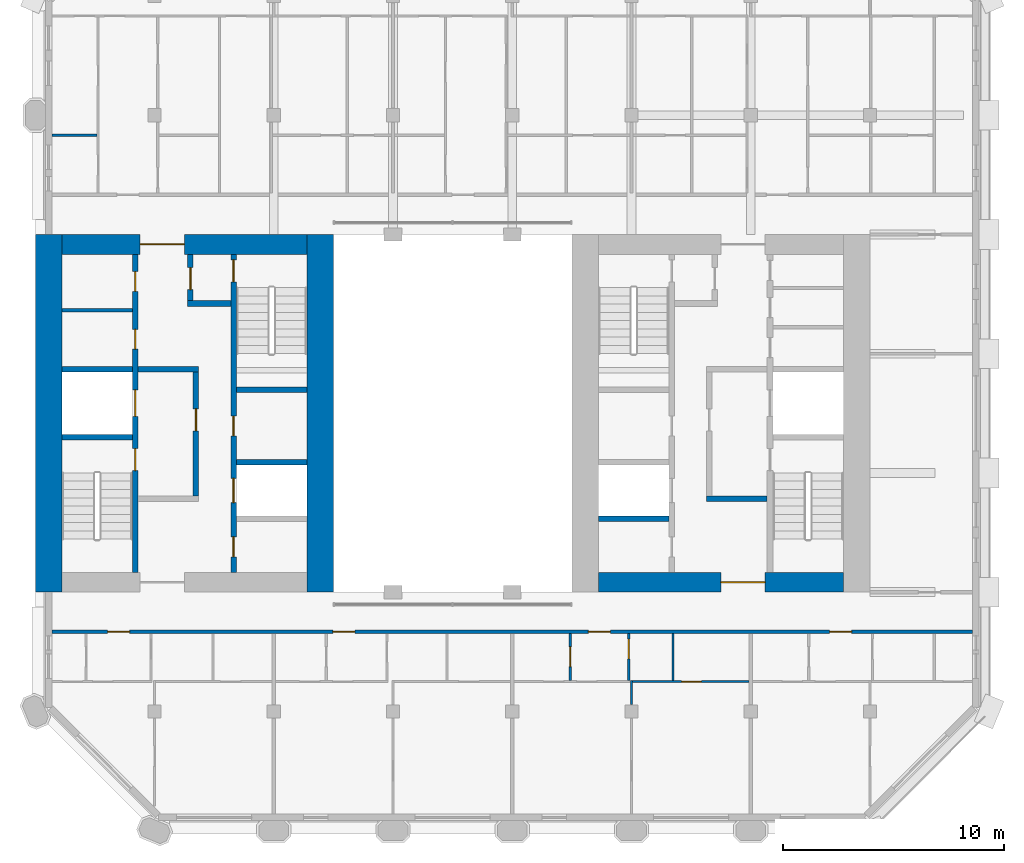
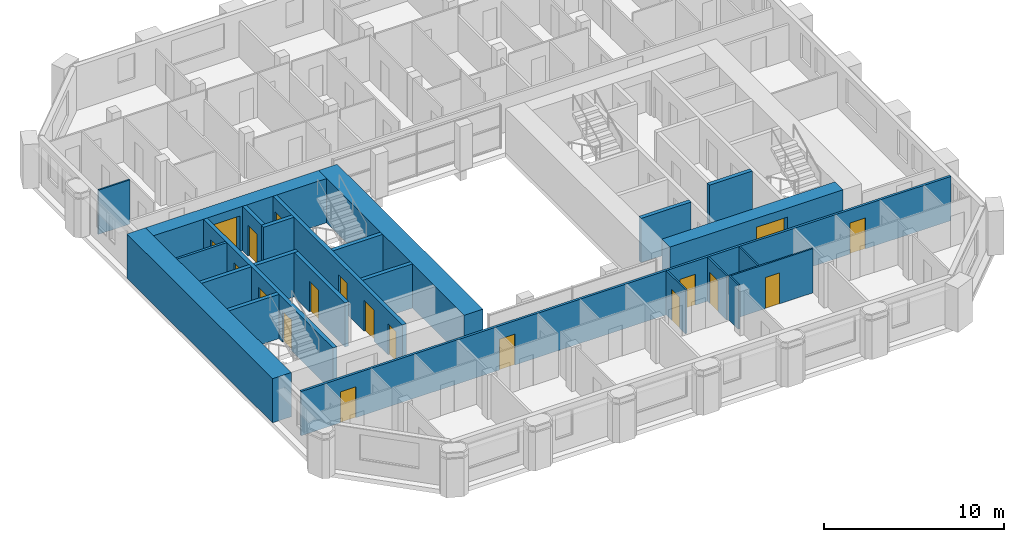
# One storey, part 5 of 13: 24 walls, 19 doors, 19 openings.
"""IFC4 building model written with IfcOpenShell, lengths in metres."""

from ifc_helpers import new_model, si_unit, direction, frame, frame_2d, origin, place, context, subcontext, project, spatial, rectangle, extrude, material, layer, layer_set, type_object, element, fill, save


model = new_model("IFC4")

# Units and contexts
model_context = context("Model", 3, precision=1e-05, world=origin(), true_north=direction((0.0, 1.0)))
body_context = subcontext(model_context, "Body", "Model", "MODEL_VIEW")
ifc_project = project(units=[si_unit("LENGTHUNIT", "METRE"), si_unit("AREAUNIT", "SQUARE_METRE"), si_unit("VOLUMEUNIT", "CUBIC_METRE"), si_unit("PLANEANGLEUNIT", "RADIAN"), si_unit("MASSUNIT", "GRAM", prefix="KILO")], contexts=[model_context])

# Site, building, storey
site_placement = place(None, origin())
site = spatial("IfcSite", under=ifc_project, at=site_placement, CompositionType="ELEMENT")
building_placement = place(site_placement, origin())
building = spatial("IfcBuilding", under=site, at=building_placement, Name="Tabaq Tower and Sports Hall", CompositionType="ELEMENT")
storey_placement = place(building_placement, frame((0.0, 0.0, 301.60009765625)))
storey = spatial("IfcBuildingStorey", under=building, at=storey_placement, Name="L75", CompositionType="ELEMENT", Elevation=301.60009765625)

# Walls
ifc_material_1 = material(Name="Blockwork", Category="masonry")
ifc_layer_1 = layer(ifc_material_1, 0.14990234375)
ifc_layer_set_1 = layer_set([ifc_layer_1], Name="Core room partition 150 Blockwork")
wall_type_1 = type_object("IfcWallType", Name="Core room partition 150 Blockwork", PredefinedType="PARTITIONING", material=ifc_layer_set_1)
wall_1_placement = place(storey_placement, frame((6.60009765625, 28.962890625, 0.0), z_axis=(0.0, 0.0, 1.0), x_axis=(1.0, 0.0, 0.0)))
element("IfcWall", 1, at=wall_1_placement, inside=storey, type_object=wall_type_1, Name="Core room partition W L75", PredefinedType="PARTITIONING", context=body_context, shape_type="SweptSolid", body=[
    extrude(rectangle(XDim=3.199951171875, YDim=0.14990234375, at=frame_2d((1.60009765625, 0.0))), origin(), (0.0, 0.0, 1.0), 3.0),
])
ifc_material_2 = material(Name="Concrete C40/50", Category="concrete")
ifc_layer_2 = layer(ifc_material_2, 1.199951171875)
ifc_layer_set_2 = layer_set([ifc_layer_2], Name="Core wall 1200 Concrete C40/50")
wall_type_2 = type_object("IfcWallType", Name="Core wall 1200 Concrete C40/50", PredefinedType="SOLIDWALL", material=ifc_layer_set_2)
for number, where, z_axis, x_axis, name in (
    (2, (6.0, 16.199951171875, 0.0), (0.0, 0.0, 1.0), (0.0, 1.0, 0.0), "Core wall W L75"),
    (3, (18.300048828125, 32.39990234375, 0.0), (0.0, 0.0, 1.0), (0.0, -1.0, 0.0), "Core wall W L75"),
):
    element("IfcWall", number, at=place(storey_placement, frame(where, z_axis=z_axis, x_axis=x_axis)), inside=storey, type_object=wall_type_2, Name=name, PredefinedType="SOLIDWALL", context=body_context, shape_type="SweptSolid", body=[
        extrude(rectangle(XDim=16.199951171875, YDim=1.199951171875, at=frame_2d((8.10009765625, 0.0))), origin(), (0.0, 0.0, 1.0), 3.0),
    ])

# Wall, opening, door
ifc_material_3 = material(Name="Concrete C40/50", Category="concrete")
ifc_layer_3 = layer(ifc_material_3, 0.89990234375)
ifc_layer_set_3 = layer_set([ifc_layer_3], Name="Core wall 900 Concrete C40/50")
wall_type_3 = type_object("IfcWallType", Name="Core wall 900 Concrete C40/50", PredefinedType="SOLIDWALL", material=ifc_layer_set_3)
wall_2_placement = place(storey_placement, frame((6.60009765625, 31.949951171875, 0.0), z_axis=(0.0, 0.0, 1.0), x_axis=(1.0, 0.0, 0.0)))
wall_2 = element("IfcWall", 4, at=wall_2_placement, inside=storey, type_object=wall_type_3, Name="Core wall W L75", PredefinedType="SOLIDWALL", context=body_context, shape_type="SweptSolid", body=[
    extrude(rectangle(XDim=11.099853515625, YDim=0.89990234375, at=frame_2d((5.5498046875, 0.0))), origin(), (0.0, 0.0, 1.0), 3.0),
])
opening_1_placement = place(wall_2_placement, frame((3.550048828125, 0.0, 0.0)))
opening_1 = element("IfcOpeningElement", 5, at=opening_1_placement, cuts=wall_2, Name="Opening PD-WL75-02", PredefinedType="OPENING", context=body_context, shape_type="SweptSolid", body=[
    extrude(rectangle(XDim=2.0, YDim=2.39990234375, at=frame_2d((1.0, 1.199951171875))), frame((0.0, 0.449951171875, 0.0), z_axis=(0.0, -1.0, 0.0), x_axis=(1.0, 0.0, 0.0)), (0.0, 0.0, 1.0), 0.89990234375),
])
ifc_material_4 = material(Name="Steel fire door", Category="steel")
door_type_1 = type_object("IfcDoorType", Name="Core entrance door 2000", OperationType="DOUBLE_DOOR_SINGLE_SWING", PredefinedType="DOOR", material=ifc_material_4)
door_1_placement = place(opening_1_placement, origin())
door_1 = element("IfcDoor", 6, at=door_1_placement, inside=storey, type_object=door_type_1, Name="Core entrance north W L75", OperationType="DOUBLE_DOOR_SINGLE_SWING", OverallHeight=2.39990234375, OverallWidth=2.0, PredefinedType="DOOR", context=body_context, shape_type="SweptSolid", body=[
    extrude(rectangle(XDim=2.0, YDim=2.39990234375, at=frame_2d((1.0, 1.199951171875))), frame((0.0, 0.02490234375, 0.0), z_axis=(0.0, -1.0, 0.0), x_axis=(1.0, 0.0, 0.0)), (0.0, 0.0, 1.0), 0.050048828125),
])
fill(opening_1, door_1)

wall_3_placement = place(storey_placement, frame((42.0, 16.64990234375, 0.0), z_axis=(0.0, 0.0, 1.0), x_axis=(-1.0, 0.0, 0.0)))
wall_3 = element("IfcWall", 7, at=wall_3_placement, inside=storey, type_object=wall_type_3, Name="Core wall E L75", PredefinedType="SOLIDWALL", context=body_context, shape_type="SweptSolid", body=[
    extrude(rectangle(XDim=11.10009765625, YDim=0.89990234375, at=frame_2d((5.550048828125, 0.0))), origin(), (0.0, 0.0, 1.0), 3.0),
])
opening_2_placement = place(wall_3_placement, frame((3.550048828125, 0.0, 0.0)))
opening_2 = element("IfcOpeningElement", 8, at=opening_2_placement, cuts=wall_3, Name="Opening PD-EL75-01", PredefinedType="OPENING", context=body_context, shape_type="SweptSolid", body=[
    extrude(rectangle(XDim=2.0, YDim=2.39990234375, at=frame_2d((1.0, 1.199951171875))), frame((0.0, 0.449951171875, 0.0), z_axis=(0.0, -1.0, 0.0), x_axis=(1.0, 0.0, 0.0)), (0.0, 0.0, 1.0), 0.89990234375),
])
door_2_placement = place(opening_2_placement, origin())
door_2 = element("IfcDoor", 9, at=door_2_placement, inside=storey, type_object=door_type_1, Name="Core entrance south E L75", OperationType="DOUBLE_DOOR_SINGLE_SWING", OverallHeight=2.39990234375, OverallWidth=2.0, PredefinedType="DOOR", context=body_context, shape_type="SweptSolid", body=[
    extrude(rectangle(XDim=2.0, YDim=2.39990234375, at=frame_2d((1.0, 1.199951171875))), frame((0.0, 0.02490234375, 0.0), z_axis=(0.0, -1.0, 0.0), x_axis=(1.0, 0.0, 0.0)), (0.0, 0.0, 1.0), 0.050048828125),
])
fill(opening_2, door_2)

# Walls
ifc_material_5 = material(Name="Gypsum board on steel studs", Category="steel")
ifc_layer_4 = layer(ifc_material_5, 0.10009765625)
ifc_layer_set_4 = layer_set([ifc_layer_4], Name="Partition 100 Gypsum board")
wall_type_4 = type_object("IfcWallType", Name="Partition 100 Gypsum board", PredefinedType="PARTITIONING", material=ifc_layer_set_4)
wall_4_placement = place(storey_placement, frame((6.15087890625, 36.89990234375, 0.0), z_axis=(0.0, 0.0, 1.0), x_axis=(1.0, 0.0, 0.0)))
element("IfcWall", 10, at=wall_4_placement, inside=storey, type_object=wall_type_4, Name="Partition wall L75", PredefinedType="PARTITIONING", context=body_context, shape_type="SweptSolid", body=[
    extrude(rectangle(XDim=2.0390625, YDim=0.10009765625, at=frame_2d((1.01953125, 0.0))), origin(), (0.0, 0.0, 1.0), 3.0),
])
wall_5_placement = place(storey_placement, frame((32.39990234375, 11.1201171875, 0.0), z_axis=(0.0, 0.0, 1.0), x_axis=(0.0, 1.0, 0.0)))
element("IfcWall", 11, at=wall_5_placement, inside=storey, type_object=wall_type_4, Name="Partition wall L75", PredefinedType="PARTITIONING", context=body_context, shape_type="SweptSolid", body=[
    extrude(rectangle(XDim=1.079833984375, YDim=0.10009765625, at=frame_2d((0.5400390625, 0.0))), origin(), (0.0, 0.0, 1.0), 3.0),
])

# Wall, opening, door
wall_6_placement = place(storey_placement, frame((37.72509765625, 12.14990234375, 0.0), z_axis=(0.0, 0.0, 1.0), x_axis=(-1.0, 0.0, 0.0)))
wall_6 = element("IfcWall", 12, at=wall_6_placement, inside=storey, type_object=wall_type_4, Name="Partition wall L75", PredefinedType="PARTITIONING", context=body_context, shape_type="SweptSolid", body=[
    extrude(rectangle(XDim=5.275146484375, YDim=0.10009765625, at=frame_2d((2.6376953125, 0.0))), origin(), (0.0, 0.0, 1.0), 3.0),
])
opening_3_placement = place(wall_6_placement, frame((2.155029296875, 0.0, 0.0)))
opening_3 = element("IfcOpeningElement", 13, at=opening_3_placement, cuts=wall_6, Name="Opening L75-023", PredefinedType="OPENING", context=body_context, shape_type="SweptSolid", body=[
    extrude(rectangle(XDim=0.89990234375, YDim=2.10009765625, at=frame_2d((0.449951171875, 1.050048828125))), frame((0.0, 0.050048828125, 0.0), z_axis=(0.0, -1.0, 0.0), x_axis=(1.0, 0.0, 0.0)), (0.0, 0.0, 1.0), 0.10009765625),
])
ifc_material_6 = material(Name="Timber leaf in steel frame", Category="steel")
door_type_2 = type_object("IfcDoorType", Name="Internal door 900 right hand", OperationType="SINGLE_SWING_RIGHT", PredefinedType="DOOR", material=ifc_material_6)
door_3_placement = place(opening_3_placement, origin())
door_3 = element("IfcDoor", 14, at=door_3_placement, inside=storey, type_object=door_type_2, Name="Internal door L75-023", OperationType="SINGLE_SWING_RIGHT", OverallHeight=2.10009765625, OverallWidth=0.89990234375, PredefinedType="DOOR", context=body_context, shape_type="SweptSolid", body=[
    extrude(rectangle(XDim=0.89990234375, YDim=2.10009765625, at=frame_2d((0.449951171875, 1.050048828125))), frame((0.0, 0.02490234375, 0.0), z_axis=(0.0, -1.0, 0.0), x_axis=(1.0, 0.0, 0.0)), (0.0, 0.0, 1.0), 0.050048828125),
])
fill(opening_3, door_3)

wall_7_placement = place(storey_placement, frame((29.625, 12.199951171875, 0.0), z_axis=(0.0, 0.0, 1.0), x_axis=(0.0, 1.0, 0.0)))
wall_7 = element("IfcWall", 15, at=wall_7_placement, inside=storey, type_object=wall_type_4, Name="Partition wall L75", PredefinedType="PARTITIONING", context=body_context, shape_type="SweptSolid", body=[
    extrude(rectangle(XDim=2.125, YDim=0.10009765625, at=frame_2d((1.0625, 0.0))), origin(), (0.0, 0.0, 1.0), 3.0),
])
opening_4_placement = place(wall_7_placement, frame((0.625, 0.0, 0.0)))
opening_4 = element("IfcOpeningElement", 16, at=opening_4_placement, cuts=wall_7, Name="Opening L75-047", PredefinedType="OPENING", context=body_context, shape_type="SweptSolid", body=[
    extrude(rectangle(XDim=0.89990234375, YDim=2.10009765625, at=frame_2d((0.449951171875, 1.050048828125))), frame((0.0, 0.050048828125, 0.0), z_axis=(0.0, -1.0, 0.0), x_axis=(1.0, 0.0, 0.0)), (0.0, 0.0, 1.0), 0.10009765625),
])
door_4_placement = place(opening_4_placement, origin())
door_4 = element("IfcDoor", 17, at=door_4_placement, inside=storey, type_object=door_type_2, Name="Internal door L75-047", OperationType="SINGLE_SWING_RIGHT", OverallHeight=2.10009765625, OverallWidth=0.89990234375, PredefinedType="DOOR", context=body_context, shape_type="SweptSolid", body=[
    extrude(rectangle(XDim=0.89990234375, YDim=2.10009765625, at=frame_2d((0.449951171875, 1.050048828125))), frame((0.0, 0.02490234375, 0.0), z_axis=(0.0, -1.0, 0.0), x_axis=(1.0, 0.0, 0.0)), (0.0, 0.0, 1.0), 0.050048828125),
])
fill(opening_4, door_4)

wall_8_placement = place(storey_placement, frame((32.27490234375, 12.199951171875, 0.0), z_axis=(0.0, 0.0, 1.0), x_axis=(0.0, 1.0, 0.0)))
wall_8 = element("IfcWall", 18, at=wall_8_placement, inside=storey, type_object=wall_type_4, Name="Partition wall L75", PredefinedType="PARTITIONING", context=body_context, shape_type="SweptSolid", body=[
    extrude(rectangle(XDim=2.125, YDim=0.10009765625, at=frame_2d((1.0625, 0.0))), origin(), (0.0, 0.0, 1.0), 3.0),
])
opening_5_placement = place(wall_8_placement, frame((0.97509765625, 0.0, 0.0)))
opening_5 = element("IfcOpeningElement", 19, at=opening_5_placement, cuts=wall_8, Name="Opening L75-024", PredefinedType="OPENING", context=body_context, shape_type="SweptSolid", body=[
    extrude(rectangle(XDim=0.89990234375, YDim=2.10009765625, at=frame_2d((0.449951171875, 1.050048828125))), frame((0.0, 0.050048828125, 0.0), z_axis=(0.0, -1.0, 0.0), x_axis=(1.0, 0.0, 0.0)), (0.0, 0.0, 1.0), 0.10009765625),
])
door_5_placement = place(opening_5_placement, origin())
door_5 = element("IfcDoor", 20, at=door_5_placement, inside=storey, type_object=door_type_2, Name="Internal door L75-024", OperationType="SINGLE_SWING_RIGHT", OverallHeight=2.10009765625, OverallWidth=0.89990234375, PredefinedType="DOOR", context=body_context, shape_type="SweptSolid", body=[
    extrude(rectangle(XDim=0.89990234375, YDim=2.10009765625, at=frame_2d((0.449951171875, 1.050048828125))), frame((0.0, 0.02490234375, 0.0), z_axis=(0.0, -1.0, 0.0), x_axis=(1.0, 0.0, 0.0)), (0.0, 0.0, 1.0), 0.050048828125),
])
fill(opening_5, door_5)

# Wall
wall_9_placement = place(storey_placement, frame((34.285888671875, 12.199951171875, 0.0), z_axis=(0.0, 0.0, 1.0), x_axis=(0.0, 1.0, 0.0)))
element("IfcWall", 21, at=wall_9_placement, inside=storey, type_object=wall_type_4, Name="Partition wall L75", PredefinedType="PARTITIONING", context=body_context, shape_type="SweptSolid", body=[
    extrude(rectangle(XDim=2.125, YDim=0.10009765625, at=frame_2d((1.0625, 0.0))), origin(), (0.0, 0.0, 1.0), 3.0),
])

# Wall, openings, doors
ifc_material_7 = material(Name="Blockwork", Category="masonry")
ifc_layer_5 = layer(ifc_material_7, 0.14990234375)
ifc_layer_set_5 = layer_set([ifc_layer_5], Name="Separating wall 150 Blockwork")
wall_type_5 = type_object("IfcWallType", Name="Separating wall 150 Blockwork", PredefinedType="PARTITIONING", material=ifc_layer_set_5)
wall_10_placement = place(storey_placement, frame((47.84912109375, 14.39990234375, 0.0), z_axis=(0.0, 0.0, 1.0), x_axis=(-1.0, 0.0, 0.0)))
wall_10 = element("IfcWall", 22, at=wall_10_placement, inside=storey, type_object=wall_type_5, Name="Separating wall L75", PredefinedType="PARTITIONING", context=body_context, shape_type="SweptSolid", body=[
    extrude(rectangle(XDim=41.6982421875, YDim=0.14990234375, at=frame_2d((20.84912109375, 0.0))), origin(), (0.0, 0.0, 1.0), 3.0),
])
opening_6_placement = place(wall_10_placement, frame((38.178955078125, 0.0, 0.0)))
opening_6 = element("IfcOpeningElement", 23, at=opening_6_placement, cuts=wall_10, Name="Opening L75-060", PredefinedType="OPENING", context=body_context, shape_type="SweptSolid", body=[
    extrude(rectangle(XDim=1.0, YDim=2.10009765625, at=frame_2d((0.5, 1.050048828125))), frame((0.0, 0.074951171875, 0.0), z_axis=(0.0, -1.0, 0.0), x_axis=(1.0, 0.0, 0.0)), (0.0, 0.0, 1.0), 0.14990234375),
])
opening_7_placement = place(wall_10_placement, frame((27.97705078125, 0.0, 0.0)))
opening_7 = element("IfcOpeningElement", 24, at=opening_7_placement, cuts=wall_10, Name="Opening L75-061", PredefinedType="OPENING", context=body_context, shape_type="SweptSolid", body=[
    extrude(rectangle(XDim=1.0, YDim=2.10009765625, at=frame_2d((0.5, 1.050048828125))), frame((0.0, 0.074951171875, 0.0), z_axis=(0.0, -1.0, 0.0), x_axis=(1.0, 0.0, 0.0)), (0.0, 0.0, 1.0), 0.14990234375),
])
opening_8_placement = place(wall_10_placement, frame((16.39892578125, 0.0, 0.0)))
opening_8 = element("IfcOpeningElement", 25, at=opening_8_placement, cuts=wall_10, Name="Opening L75-062", PredefinedType="OPENING", context=body_context, shape_type="SweptSolid", body=[
    extrude(rectangle(XDim=1.0, YDim=2.10009765625, at=frame_2d((0.5, 1.050048828125))), frame((0.0, 0.074951171875, 0.0), z_axis=(0.0, -1.0, 0.0), x_axis=(1.0, 0.0, 0.0)), (0.0, 0.0, 1.0), 0.14990234375),
])
opening_9_placement = place(wall_10_placement, frame((5.47607421875, 0.0, 0.0)))
opening_9 = element("IfcOpeningElement", 26, at=opening_9_placement, cuts=wall_10, Name="Opening L75-063", PredefinedType="OPENING", context=body_context, shape_type="SweptSolid", body=[
    extrude(rectangle(XDim=1.0, YDim=2.10009765625, at=frame_2d((0.5, 1.050048828125))), frame((0.0, 0.074951171875, 0.0), z_axis=(0.0, -1.0, 0.0), x_axis=(1.0, 0.0, 0.0)), (0.0, 0.0, 1.0), 0.14990234375),
])
ifc_material_8 = material(Name="Steel fire door", Category="steel")
door_type_3 = type_object("IfcDoorType", Name="Entrance door 1000 left hand", OperationType="SINGLE_SWING_LEFT", PredefinedType="DOOR", material=ifc_material_8)
door_6_placement = place(opening_8_placement, origin())
door_6 = element("IfcDoor", 27, at=door_6_placement, inside=storey, type_object=door_type_3, Name="Entrance door L75-062", OperationType="SINGLE_SWING_LEFT", OverallHeight=2.10009765625, OverallWidth=1.0, PredefinedType="DOOR", context=body_context, shape_type="SweptSolid", body=[
    extrude(rectangle(XDim=1.0, YDim=2.10009765625, at=frame_2d((0.5, 1.050048828125))), frame((0.0, 0.02490234375, 0.0), z_axis=(0.0, -1.0, 0.0), x_axis=(1.0, 0.0, 0.0)), (0.0, 0.0, 1.0), 0.050048828125),
])
fill(opening_8, door_6)
door_7_placement = place(opening_9_placement, origin())
door_7 = element("IfcDoor", 28, at=door_7_placement, inside=storey, type_object=door_type_3, Name="Entrance door L75-063", OperationType="SINGLE_SWING_LEFT", OverallHeight=2.10009765625, OverallWidth=1.0, PredefinedType="DOOR", context=body_context, shape_type="SweptSolid", body=[
    extrude(rectangle(XDim=1.0, YDim=2.10009765625, at=frame_2d((0.5, 1.050048828125))), frame((0.0, 0.02490234375, 0.0), z_axis=(0.0, -1.0, 0.0), x_axis=(1.0, 0.0, 0.0)), (0.0, 0.0, 1.0), 0.050048828125),
])
fill(opening_9, door_7)
ifc_material_9 = material(Name="Steel fire door", Category="steel")
door_type_4 = type_object("IfcDoorType", Name="Entrance door 1000 right hand", OperationType="SINGLE_SWING_RIGHT", PredefinedType="DOOR", material=ifc_material_9)
door_8_placement = place(opening_6_placement, origin())
door_8 = element("IfcDoor", 29, at=door_8_placement, inside=storey, type_object=door_type_4, Name="Entrance door L75-060", OperationType="SINGLE_SWING_RIGHT", OverallHeight=2.10009765625, OverallWidth=1.0, PredefinedType="DOOR", context=body_context, shape_type="SweptSolid", body=[
    extrude(rectangle(XDim=1.0, YDim=2.10009765625, at=frame_2d((0.5, 1.050048828125))), frame((0.0, 0.02490234375, 0.0), z_axis=(0.0, -1.0, 0.0), x_axis=(1.0, 0.0, 0.0)), (0.0, 0.0, 1.0), 0.050048828125),
])
fill(opening_6, door_8)
door_9_placement = place(opening_7_placement, origin())
door_9 = element("IfcDoor", 30, at=door_9_placement, inside=storey, type_object=door_type_4, Name="Entrance door L75-061", OperationType="SINGLE_SWING_RIGHT", OverallHeight=2.10009765625, OverallWidth=1.0, PredefinedType="DOOR", context=body_context, shape_type="SweptSolid", body=[
    extrude(rectangle(XDim=1.0, YDim=2.10009765625, at=frame_2d((0.5, 1.050048828125))), frame((0.0, 0.02490234375, 0.0), z_axis=(0.0, -1.0, 0.0), x_axis=(1.0, 0.0, 0.0)), (0.0, 0.0, 1.0), 0.050048828125),
])
fill(opening_7, door_9)

ifc_material_10 = material(Name="Concrete C40/50", Category="concrete")
ifc_layer_6 = layer(ifc_material_10, 0.25)
ifc_layer_set_6 = layer_set([ifc_layer_6], Name="Shaft and stair wall 250 Concrete C40/50")
wall_type_6 = type_object("IfcWallType", Name="Shaft and stair wall 250 Concrete C40/50", PredefinedType="SOLIDWALL", material=ifc_layer_set_6)
wall_11_placement = place(storey_placement, frame((9.925048828125, 17.10009765625, 0.0), z_axis=(0.0, 0.0, 1.0), x_axis=(0.0, 1.0, 0.0)))
wall_11 = element("IfcWall", 31, at=wall_11_placement, inside=storey, type_object=wall_type_6, Name="Shaft wall W L75", PredefinedType="SOLIDWALL", context=body_context, shape_type="SweptSolid", body=[
    extrude(rectangle(XDim=14.39990234375, YDim=0.25, at=frame_2d((7.199951171875, 0.0))), origin(), (0.0, 0.0, 1.0), 3.0),
])
opening_10_placement = place(wall_11_placement, frame((4.60009765625, 0.0, 0.0)))
opening_10 = element("IfcOpeningElement", 32, at=opening_10_placement, cuts=wall_11, Name="Opening SD-WL75-03", PredefinedType="OPENING", context=body_context, shape_type="SweptSolid", body=[
    extrude(rectangle(XDim=1.0, YDim=2.10009765625, at=frame_2d((0.5, 1.050048828125))), frame((0.0, 0.125, 0.0), z_axis=(0.0, -1.0, 0.0), x_axis=(1.0, 0.0, 0.0)), (0.0, 0.0, 1.0), 0.25),
])
opening_11_placement = place(wall_11_placement, frame((7.0625, 0.0, 0.0)))
opening_11 = element("IfcOpeningElement", 33, at=opening_11_placement, cuts=wall_11, Name="Opening LD-FF1-L75", PredefinedType="OPENING", context=body_context, shape_type="SweptSolid", body=[
    extrude(rectangle(XDim=1.199951171875, YDim=2.10009765625, at=frame_2d((0.60009765625, 1.050048828125))), frame((0.0, 0.125, 0.0), z_axis=(0.0, -1.0, 0.0), x_axis=(1.0, 0.0, 0.0)), (0.0, 0.0, 1.0), 0.25),
])
opening_12_placement = place(wall_11_placement, frame((10.1064453125, 0.0, 0.0)))
opening_12 = element("IfcOpeningElement", 34, at=opening_12_placement, cuts=wall_11, Name="Opening RD-WL75-09", PredefinedType="OPENING", context=body_context, shape_type="SweptSolid", body=[
    extrude(rectangle(XDim=0.89990234375, YDim=2.10009765625, at=frame_2d((0.449951171875, 1.050048828125))), frame((0.0, 0.125, 0.0), z_axis=(0.0, -1.0, 0.0), x_axis=(1.0, 0.0, 0.0)), (0.0, 0.0, 1.0), 0.25),
])
opening_13_placement = place(wall_11_placement, frame((12.718994140625, 0.0, 0.0)))
opening_13 = element("IfcOpeningElement", 35, at=opening_13_placement, cuts=wall_11, Name="Opening RD-WL75-10", PredefinedType="OPENING", context=body_context, shape_type="SweptSolid", body=[
    extrude(rectangle(XDim=0.89990234375, YDim=2.10009765625, at=frame_2d((0.449951171875, 1.050048828125))), frame((0.0, 0.125, 0.0), z_axis=(0.0, -1.0, 0.0), x_axis=(1.0, 0.0, 0.0)), (0.0, 0.0, 1.0), 0.25),
])
ifc_material_11 = material(Name="Steel fire door", Category="steel")
door_type_5 = type_object("IfcDoorType", Name="Core room door 900", OperationType="SINGLE_SWING_LEFT", PredefinedType="DOOR", material=ifc_material_11)
door_10_placement = place(opening_12_placement, origin())
door_10 = element("IfcDoor", 36, at=door_10_placement, inside=storey, type_object=door_type_5, Name="Door Housekeeping Store W L75", OperationType="SINGLE_SWING_LEFT", OverallHeight=2.10009765625, OverallWidth=0.89990234375, PredefinedType="DOOR", context=body_context, shape_type="SweptSolid", body=[
    extrude(rectangle(XDim=0.89990234375, YDim=2.10009765625, at=frame_2d((0.449951171875, 1.050048828125))), frame((0.0, 0.02490234375, 0.0), z_axis=(0.0, -1.0, 0.0), x_axis=(1.0, 0.0, 0.0)), (0.0, 0.0, 1.0), 0.050048828125),
])
fill(opening_12, door_10)
door_11_placement = place(opening_13_placement, origin())
door_11 = element("IfcDoor", 37, at=door_11_placement, inside=storey, type_object=door_type_5, Name="Door Riser Room W L75", OperationType="SINGLE_SWING_LEFT", OverallHeight=2.10009765625, OverallWidth=0.89990234375, PredefinedType="DOOR", context=body_context, shape_type="SweptSolid", body=[
    extrude(rectangle(XDim=0.89990234375, YDim=2.10009765625, at=frame_2d((0.449951171875, 1.050048828125))), frame((0.0, 0.02490234375, 0.0), z_axis=(0.0, -1.0, 0.0), x_axis=(1.0, 0.0, 0.0)), (0.0, 0.0, 1.0), 0.050048828125),
])
fill(opening_13, door_11)
ifc_material_12 = material(Name="Stainless steel", Category="steel")
door_type_6 = type_object("IfcDoorType", Name="Lift landing door 1200", OperationType="DOUBLE_DOOR_SLIDING", PredefinedType="DOOR", material=ifc_material_12)
door_12_placement = place(opening_11_placement, origin())
door_12 = element("IfcDoor", 38, at=door_12_placement, inside=storey, type_object=door_type_6, Name="Lift landing door FF1 W L75", OperationType="DOUBLE_DOOR_SLIDING", OverallHeight=2.10009765625, OverallWidth=1.199951171875, PredefinedType="DOOR", context=body_context, shape_type="SweptSolid", body=[
    extrude(rectangle(XDim=1.199951171875, YDim=2.10009765625, at=frame_2d((0.60009765625, 1.050048828125))), frame((0.0, 0.02490234375, 0.0), z_axis=(0.0, -1.0, 0.0), x_axis=(1.0, 0.0, 0.0)), (0.0, 0.0, 1.0), 0.050048828125),
])
fill(opening_11, door_12)
ifc_material_13 = material(Name="Steel fire door", Category="steel")
door_type_7 = type_object("IfcDoorType", Name="Stair door 1000", OperationType="SINGLE_SWING_LEFT", PredefinedType="DOOR", material=ifc_material_13)
door_13_placement = place(opening_10_placement, origin())
door_13 = element("IfcDoor", 39, at=door_13_placement, inside=storey, type_object=door_type_7, Name="Stair door ST1 W L75", OperationType="SINGLE_SWING_LEFT", OverallHeight=2.10009765625, OverallWidth=1.0, PredefinedType="DOOR", context=body_context, shape_type="SweptSolid", body=[
    extrude(rectangle(XDim=1.0, YDim=2.10009765625, at=frame_2d((0.5, 1.050048828125))), frame((0.0, 0.02490234375, 0.0), z_axis=(0.0, -1.0, 0.0), x_axis=(1.0, 0.0, 0.0)), (0.0, 0.0, 1.0), 0.050048828125),
])
fill(opening_10, door_13)

wall_12_placement = place(storey_placement, frame((14.375, 17.10009765625, 0.0), z_axis=(0.0, 0.0, 1.0), x_axis=(0.0, 1.0, 0.0)))
wall_12 = element("IfcWall", 40, at=wall_12_placement, inside=storey, type_object=wall_type_6, Name="Shaft wall W L75", PredefinedType="SOLIDWALL", context=body_context, shape_type="SweptSolid", body=[
    extrude(rectangle(XDim=14.39990234375, YDim=0.25, at=frame_2d((7.199951171875, 0.0))), origin(), (0.0, 0.0, 1.0), 3.0),
])
opening_14_placement = place(wall_12_placement, frame((13.14990234375, 0.0, 0.0)))
opening_14 = element("IfcOpeningElement", 41, at=opening_14_placement, cuts=wall_12, Name="Opening SD-WL75-05", PredefinedType="OPENING", context=body_context, shape_type="SweptSolid", body=[
    extrude(rectangle(XDim=1.0, YDim=2.10009765625, at=frame_2d((0.5, 1.050048828125))), frame((0.0, 0.125, 0.0), z_axis=(0.0, -1.0, 0.0), x_axis=(1.0, 0.0, 0.0)), (0.0, 0.0, 1.0), 0.25),
])
opening_15_placement = place(wall_12_placement, frame((3.14990234375, 0.0, 0.0)))
opening_15 = element("IfcOpeningElement", 42, at=opening_15_placement, cuts=wall_12, Name="Opening LD-HR1-L75", PredefinedType="OPENING", context=body_context, shape_type="SweptSolid", body=[
    extrude(rectangle(XDim=1.10009765625, YDim=2.10009765625, at=frame_2d((0.550048828125, 1.050048828125))), frame((0.0, 0.125, 0.0), z_axis=(0.0, -1.0, 0.0), x_axis=(1.0, 0.0, 0.0)), (0.0, 0.0, 1.0), 0.25),
])
opening_16_placement = place(wall_12_placement, frame((0.699951171875, 0.0, 0.0)))
opening_16 = element("IfcOpeningElement", 43, at=opening_16_placement, cuts=wall_12, Name="Opening RD-WL75-11", PredefinedType="OPENING", context=body_context, shape_type="SweptSolid", body=[
    extrude(rectangle(XDim=0.89990234375, YDim=2.10009765625, at=frame_2d((0.449951171875, 1.050048828125))), frame((0.0, 0.125, 0.0), z_axis=(0.0, -1.0, 0.0), x_axis=(1.0, 0.0, 0.0)), (0.0, 0.0, 1.0), 0.25),
])
opening_17_placement = place(wall_12_placement, frame((6.175048828125, 0.0, 0.0)))
opening_17 = element("IfcOpeningElement", 44, at=opening_17_placement, cuts=wall_12, Name="Opening RD-WL75-12", PredefinedType="OPENING", context=body_context, shape_type="SweptSolid", body=[
    extrude(rectangle(XDim=0.89990234375, YDim=2.10009765625, at=frame_2d((0.449951171875, 1.050048828125))), frame((0.0, 0.125, 0.0), z_axis=(0.0, -1.0, 0.0), x_axis=(1.0, 0.0, 0.0)), (0.0, 0.0, 1.0), 0.25),
])
door_14_placement = place(opening_16_placement, origin())
door_14 = element("IfcDoor", 45, at=door_14_placement, inside=storey, type_object=door_type_5, Name="Door Electrical Riser Room W L75", OperationType="SINGLE_SWING_LEFT", OverallHeight=2.10009765625, OverallWidth=0.89990234375, PredefinedType="DOOR", context=body_context, shape_type="SweptSolid", body=[
    extrude(rectangle(XDim=0.89990234375, YDim=2.10009765625, at=frame_2d((0.449951171875, 1.050048828125))), frame((0.0, 0.02490234375, 0.0), z_axis=(0.0, -1.0, 0.0), x_axis=(1.0, 0.0, 0.0)), (0.0, 0.0, 1.0), 0.050048828125),
])
fill(opening_16, door_14)
door_15_placement = place(opening_17_placement, origin())
door_15 = element("IfcDoor", 46, at=door_15_placement, inside=storey, type_object=door_type_5, Name="Door Riser Room W L75", OperationType="SINGLE_SWING_LEFT", OverallHeight=2.10009765625, OverallWidth=0.89990234375, PredefinedType="DOOR", context=body_context, shape_type="SweptSolid", body=[
    extrude(rectangle(XDim=0.89990234375, YDim=2.10009765625, at=frame_2d((0.449951171875, 1.050048828125))), frame((0.0, 0.02490234375, 0.0), z_axis=(0.0, -1.0, 0.0), x_axis=(1.0, 0.0, 0.0)), (0.0, 0.0, 1.0), 0.050048828125),
])
fill(opening_17, door_15)
ifc_material_14 = material(Name="Stainless steel", Category="steel")
door_type_8 = type_object("IfcDoorType", Name="Lift landing door 1100", OperationType="DOUBLE_DOOR_SLIDING", PredefinedType="DOOR", material=ifc_material_14)
door_16_placement = place(opening_15_placement, origin())
door_16 = element("IfcDoor", 47, at=door_16_placement, inside=storey, type_object=door_type_8, Name="Lift landing door HR1 W L75", OperationType="DOUBLE_DOOR_SLIDING", OverallHeight=2.10009765625, OverallWidth=1.10009765625, PredefinedType="DOOR", context=body_context, shape_type="SweptSolid", body=[
    extrude(rectangle(XDim=1.10009765625, YDim=2.10009765625, at=frame_2d((0.550048828125, 1.050048828125))), frame((0.0, 0.02490234375, 0.0), z_axis=(0.0, -1.0, 0.0), x_axis=(1.0, 0.0, 0.0)), (0.0, 0.0, 1.0), 0.050048828125),
])
fill(opening_15, door_16)
door_17_placement = place(opening_14_placement, origin())
door_17 = element("IfcDoor", 48, at=door_17_placement, inside=storey, type_object=door_type_7, Name="Stair door ST2 W L75", OperationType="SINGLE_SWING_LEFT", OverallHeight=2.10009765625, OverallWidth=1.0, PredefinedType="DOOR", context=body_context, shape_type="SweptSolid", body=[
    extrude(rectangle(XDim=1.0, YDim=2.10009765625, at=frame_2d((0.5, 1.050048828125))), frame((0.0, 0.02490234375, 0.0), z_axis=(0.0, -1.0, 0.0), x_axis=(1.0, 0.0, 0.0)), (0.0, 0.0, 1.0), 0.050048828125),
])
fill(opening_14, door_17)

# Walls
for number, where, z_axis, x_axis, name in (
    (49, (6.60009765625, 23.22509765625, 0.0), (0.0, 0.0, 1.0), (1.0, 0.0, 0.0), "Stair enclosure wall W L75"),
    (50, (14.5, 25.375, 0.0), (0.0, 0.0, 1.0), (1.0, 0.0, 0.0), "Stair enclosure wall W L75"),
    (51, (14.5, 22.074951171875, 0.0), (0.0, 0.0, 1.0), (1.0, 0.0, 0.0), "Shaft wall W L75"),
    (52, (6.60009765625, 26.300048828125, 0.0), (0.0, 0.0, 1.0), (1.0, 0.0, 0.0), "Shaft wall W L75"),
):
    element("IfcWall", number, at=place(storey_placement, frame(where, z_axis=z_axis, x_axis=x_axis)), inside=storey, type_object=wall_type_6, Name=name, PredefinedType="SOLIDWALL", context=body_context, shape_type="SweptSolid", body=[
        extrude(rectangle(XDim=3.199951171875, YDim=0.25, at=frame_2d((1.60009765625, 0.0))), origin(), (0.0, 0.0, 1.0), 3.0),
    ])
wall_13_placement = place(storey_placement, frame((10.050048828125, 26.300048828125, 0.0), z_axis=(0.0, 0.0, 1.0), x_axis=(1.0, 0.0, 0.0)))
element("IfcWall", 53, at=wall_13_placement, inside=storey, type_object=wall_type_6, Name="Fire-fighting lobby wall W L75", PredefinedType="SOLIDWALL", context=body_context, shape_type="SweptSolid", body=[
    extrude(rectangle(XDim=2.75, YDim=0.25, at=frame_2d((1.375, 0.0))), origin(), (0.0, 0.0, 1.0), 3.0),
])

# Wall, opening, door
wall_14_placement = place(storey_placement, frame((12.425048828125, 29.39990234375, 0.0), z_axis=(0.0, 0.0, 1.0), x_axis=(0.0, 1.0, 0.0)))
wall_14 = element("IfcWall", 54, at=wall_14_placement, inside=storey, type_object=wall_type_6, Name="Fire-fighting lobby wall W L75", PredefinedType="SOLIDWALL", context=body_context, shape_type="SweptSolid", body=[
    extrude(rectangle(XDim=2.10009765625, YDim=0.25, at=frame_2d((1.050048828125, 0.0))), origin(), (0.0, 0.0, 1.0), 3.0),
])
opening_18_placement = place(wall_14_placement, frame((0.5, 0.0, 0.0)))
opening_18 = element("IfcOpeningElement", 55, at=opening_18_placement, cuts=wall_14, Name="Opening FD-WL75-06", PredefinedType="OPENING", context=body_context, shape_type="SweptSolid", body=[
    extrude(rectangle(XDim=1.0, YDim=2.10009765625, at=frame_2d((0.5, 1.050048828125))), frame((0.0, 0.125, 0.0), z_axis=(0.0, -1.0, 0.0), x_axis=(1.0, 0.0, 0.0)), (0.0, 0.0, 1.0), 0.25),
])
ifc_material_15 = material(Name="Steel fire door", Category="steel")
door_type_9 = type_object("IfcDoorType", Name="Fire-fighting lobby door 1000", OperationType="SINGLE_SWING_LEFT", PredefinedType="DOOR", material=ifc_material_15)
door_18_placement = place(opening_18_placement, origin())
door_18 = element("IfcDoor", 56, at=door_18_placement, inside=storey, type_object=door_type_9, Name="Stair lobby door W L75", OperationType="SINGLE_SWING_LEFT", OverallHeight=2.10009765625, OverallWidth=1.0, PredefinedType="DOOR", context=body_context, shape_type="SweptSolid", body=[
    extrude(rectangle(XDim=1.0, YDim=2.10009765625, at=frame_2d((0.5, 1.050048828125))), frame((0.0, 0.02490234375, 0.0), z_axis=(0.0, -1.0, 0.0), x_axis=(1.0, 0.0, 0.0)), (0.0, 0.0, 1.0), 0.050048828125),
])
fill(opening_18, door_18)

# Wall
wall_15_placement = place(storey_placement, frame((12.300048828125, 29.27490234375, 0.0), z_axis=(0.0, 0.0, 1.0), x_axis=(1.0, 0.0, 0.0)))
element("IfcWall", 57, at=wall_15_placement, inside=storey, type_object=wall_type_6, Name="Fire-fighting lobby wall W L75", PredefinedType="SOLIDWALL", context=body_context, shape_type="SweptSolid", body=[
    extrude(rectangle(XDim=1.949951171875, YDim=0.25, at=frame_2d((0.97509765625, 0.0))), origin(), (0.0, 0.0, 1.0), 3.0),
])

# Wall, opening, door
wall_16_placement = place(storey_placement, frame((12.675048828125, 20.550048828125, 0.0), z_axis=(0.0, 0.0, 1.0), x_axis=(0.0, 1.0, 0.0)))
wall_16 = element("IfcWall", 58, at=wall_16_placement, inside=storey, type_object=wall_type_6, Name="Fire-fighting lobby wall W L75", PredefinedType="SOLIDWALL", context=body_context, shape_type="SweptSolid", body=[
    extrude(rectangle(XDim=5.625, YDim=0.25, at=frame_2d((2.8125, 0.0))), origin(), (0.0, 0.0, 1.0), 3.0),
])
opening_19_placement = place(wall_16_placement, frame((2.949951171875, 0.0, 0.0)))
opening_19 = element("IfcOpeningElement", 59, at=opening_19_placement, cuts=wall_16, Name="Opening FD-WL75-04", PredefinedType="OPENING", context=body_context, shape_type="SweptSolid", body=[
    extrude(rectangle(XDim=1.0, YDim=2.10009765625, at=frame_2d((0.5, 1.050048828125))), frame((0.0, 0.125, 0.0), z_axis=(0.0, -1.0, 0.0), x_axis=(1.0, 0.0, 0.0)), (0.0, 0.0, 1.0), 0.25),
])
door_19_placement = place(opening_19_placement, origin())
door_19 = element("IfcDoor", 60, at=door_19_placement, inside=storey, type_object=door_type_9, Name="Fire-fighting lobby door W L75", OperationType="SINGLE_SWING_LEFT", OverallHeight=2.10009765625, OverallWidth=1.0, PredefinedType="DOOR", context=body_context, shape_type="SweptSolid", body=[
    extrude(rectangle(XDim=1.0, YDim=2.10009765625, at=frame_2d((0.5, 1.050048828125))), frame((0.0, 0.02490234375, 0.0), z_axis=(0.0, -1.0, 0.0), x_axis=(1.0, 0.0, 0.0)), (0.0, 0.0, 1.0), 0.050048828125),
])
fill(opening_19, door_19)

# Walls
wall_17_placement = place(storey_placement, frame((35.800048828125, 20.425048828125, 0.0), z_axis=(0.0, 0.0, 1.0), x_axis=(1.0, 0.0, 0.0)))
element("IfcWall", 61, at=wall_17_placement, inside=storey, type_object=wall_type_6, Name="Fire-fighting lobby wall E L75", PredefinedType="SOLIDWALL", context=body_context, shape_type="SweptSolid", body=[
    extrude(rectangle(XDim=2.75, YDim=0.25, at=frame_2d((1.375, 0.0))), origin(), (0.0, 0.0, 1.0), 3.0),
])
wall_18_placement = place(storey_placement, frame((30.89990234375, 19.52490234375, 0.0), z_axis=(0.0, 0.0, 1.0), x_axis=(1.0, 0.0, 0.0)))
element("IfcWall", 62, at=wall_18_placement, inside=storey, type_object=wall_type_6, Name="Shaft wall E L75", PredefinedType="SOLIDWALL", context=body_context, shape_type="SweptSolid", body=[
    extrude(rectangle(XDim=3.2001953125, YDim=0.25, at=frame_2d((1.60009765625, 0.0))), origin(), (0.0, 0.0, 1.0), 3.0),
])

save(model, "model.ifc")
